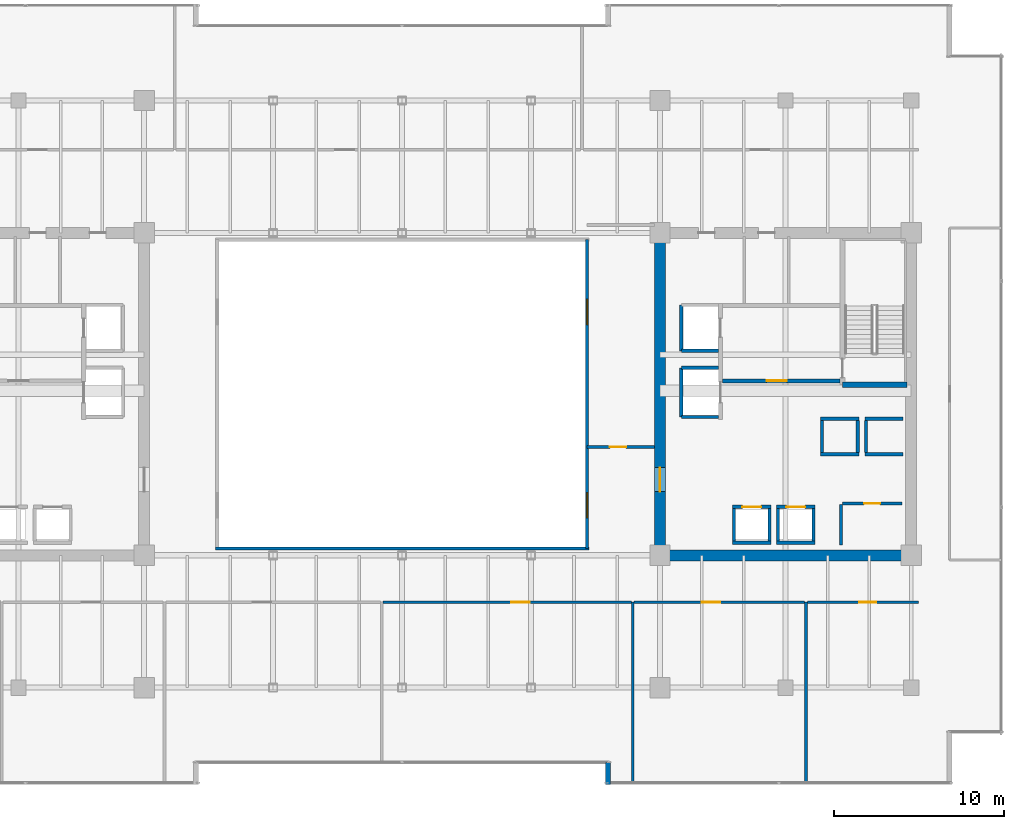
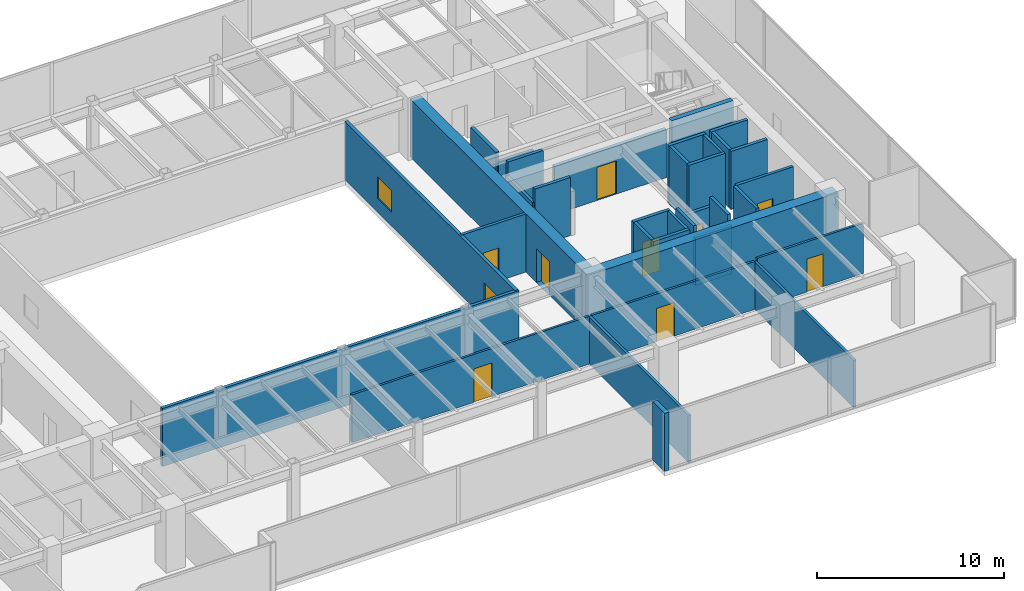
# One storey, part 26 of 30: 35 walls, 9 doors, 2 windows, 11 openings.
"""IFC4 building model written with IfcOpenShell, lengths in metres."""

from ifc_helpers import new_model, si_unit, direction, frame, frame_2d, origin, place, context, subcontext, project, spatial, rectangle, extrude, source, transform, mapped, material, layer, layer_set, type_object, type_shapes, element, fill, save


model = new_model("IFC4")

# Units and contexts
model_context = context("Model", 3, precision=1e-05, world=origin(), true_north=direction((0.0, 1.0)))
body_context = subcontext(model_context, "Body", "Model", "MODEL_VIEW")
ifc_project = project(units=[si_unit("LENGTHUNIT", "METRE"), si_unit("AREAUNIT", "SQUARE_METRE"), si_unit("VOLUMEUNIT", "CUBIC_METRE"), si_unit("PLANEANGLEUNIT", "RADIAN"), si_unit("MASSUNIT", "GRAM", prefix="KILO")], contexts=[model_context])

# Site, building, storey
site_placement = place(None, origin())
site = spatial("IfcSite", under=ifc_project, at=site_placement, CompositionType="ELEMENT")
building_placement = place(site_placement, origin())
building = spatial("IfcBuilding", under=site, at=building_placement, Name="Haelvirn Gate Laboratories", CompositionType="ELEMENT")
storey_placement = place(building_placement, frame((0.0, 0.0, 125.60009765625)))
storey = spatial("IfcBuildingStorey", under=building, at=storey_placement, Name="L30", CompositionType="ELEMENT", Elevation=125.60009765625)

# Walls
ifc_material_1 = material(Name="Thermally-broken bronze aluminium rainscreen & mineral wool", Category="aluminium")
ifc_layer_1 = layer(ifc_material_1, 0.280029296875, Name="EW-TERR-280")
ifc_layer_set_1 = layer_set([ifc_layer_1], Name="Thermally-broken bronze aluminium rainscreen & mineral wool")
wall_type_1 = type_object("IfcWallType", Name="EW-TERR-280", PredefinedType="STANDARD", material=ifc_layer_set_1)
wall_1_placement = place(storey_placement, frame((49.5400390625, 2.587890625, 0.0), z_axis=(0.0, 0.0, 1.0), x_axis=(0.0, -1.0, 0.0)))
element("IfcWall", 1, at=wall_1_placement, inside=storey, type_object=wall_type_1, Name="L30 Atrium Recess Bronze Return Wall 03", PredefinedType="STANDARD", context=body_context, shape_type="SweptSolid", body=[
    extrude(rectangle(XDim=1.287841796875, YDim=0.280029296875, at=frame_2d((0.64404296875, 0.0))), origin(), (0.0, 0.0, 1.0), 3.789794921875),
])
ifc_material_2 = material(Name="Double-layer acoustic gypsum laboratory partition", Category="gypsum")
ifc_layer_2 = layer(ifc_material_2, 0.159912109375, Name="IW-ACOUST-160")
ifc_layer_set_2 = layer_set([ifc_layer_2], Name="Double-layer acoustic gypsum laboratory partition")
wall_type_2 = type_object("IfcWallType", Name="IW-ACOUST-160", PredefinedType="PARTITIONING", material=ifc_layer_set_2)
for number, where, z_axis, x_axis, name in (
    (2, (51.0, 1.409912109375, 0.0), (0.0, 0.0, 1.0), (0.0, 1.0, 0.0), "L30 Interior Wall IW-L30-SDIV-04"),
    (3, (61.199951171875, 1.409912109375, 0.0), (0.0, 0.0, 1.0), (0.0, 1.0, 0.0), "L30 Interior Wall IW-L30-SDIV-05"),
):
    element("IfcWall", number, at=place(storey_placement, frame(where, z_axis=z_axis, x_axis=x_axis)), inside=storey, type_object=wall_type_2, Name=name, PredefinedType="PARTITIONING", context=body_context, shape_type="SweptSolid", body=[
        extrude(rectangle(XDim=10.630126953125, YDim=0.159912109375, at=frame_2d((5.31494140625, 0.0))), origin(), (0.0, 0.0, 1.0), 3.074951171875),
    ])

# Wall, opening, door
ifc_material_3 = material(Name="Fire-rated acoustic gypsum board partition", Category="gypsum")
ifc_layer_3 = layer(ifc_material_3, 0.175048828125, Name="IW-ACOUST-180")
ifc_layer_set_3 = layer_set([ifc_layer_3], Name="Fire-rated acoustic gypsum board partition")
wall_type_3 = type_object("IfcWallType", Name="IW-ACOUST-180", PredefinedType="PARTITIONING", material=ifc_layer_set_3)
wall_2_placement = place(storey_placement, frame((48.300048828125, 21.179931640625, 0.0), z_axis=(0.0, 0.0, 1.0), x_axis=(1.0, 0.0, 0.0)))
wall_2 = element("IfcWall", 4, at=wall_2_placement, inside=storey, type_object=wall_type_3, Name="L30 Interior Wall IW-L30-ASEM-S", PredefinedType="PARTITIONING", context=body_context, shape_type="SweptSolid", body=[
    extrude(rectangle(XDim=3.974853515625, YDim=0.175048828125, at=frame_2d((1.9873046875, 0.0))), origin(), (0.0, 0.0, 1.0), 3.789794921875),
])
opening_1_placement = place(wall_2_placement, frame((1.35009765625, 0.0, 0.0)))
opening_1 = element("IfcOpeningElement", 5, at=opening_1_placement, cuts=wall_2, Name="Opening FD4", PredefinedType="OPENING", context=body_context, shape_type="SweptSolid", body=[
    extrude(rectangle(XDim=0.949951171875, YDim=2.14990234375, at=frame_2d((0.47509765625, 1.074951171875))), frame((0.0, 0.09765625, 0.0), z_axis=(0.0, -1.0, 0.0), x_axis=(1.0, 0.0, 0.0)), (0.0, 0.0, 1.0), 0.195068359375),
])
ifc_material_4 = material(Name="Fire-rated steel SM355 core service door", Category="steel")
door_type_1 = type_object("IfcDoorType", Name="DR-FD-950", OperationType="NOTDEFINED", PredefinedType="DOOR", material=ifc_material_4)
shared_shape_1 = source(origin(), body_context, "Body", "SweptSolid", [
    extrude(rectangle(XDim=0.949951171875, YDim=2.14990234375, at=frame_2d((0.47509765625, 1.074951171875))), frame((0.0, 0.02490234375, 0.0), z_axis=(0.0, -1.0, 0.0), x_axis=(1.0, 0.0, 0.0)), (0.0, 0.0, 1.0), 0.050048828125),
])
type_shapes(door_type_1, [shared_shape_1])
door_1_placement = place(opening_1_placement, origin())
door_1 = element("IfcDoor", 6, at=door_1_placement, inside=storey, type_object=door_type_1, Name="L30 Atrium Bioinformatics Suite Door", OperationType="SINGLE_SWING_LEFT", OverallHeight=2.14990234375, OverallWidth=0.949951171875, PredefinedType="DOOR", context=body_context, shape_type="MappedRepresentation", body=[
    mapped(shared_shape_1, transform((0.0, 0.0, 0.0), scale=1.0)),
])
fill(opening_1, door_1)

# Wall, openings, windows
ifc_material_5 = material(Name="Tempered fire-rated borosilicate glass & anodised aluminium", Category="aluminium")
ifc_layer_4 = layer(ifc_material_5, 0.195068359375, Name="IW-GLAZ-200")
ifc_layer_set_4 = layer_set([ifc_layer_4], Name="Tempered fire-rated borosilicate glass & anodised aluminium")
wall_type_4 = type_object("IfcWallType", Name="IW-GLAZ-200", PredefinedType="SOLIDWALL", material=ifc_layer_set_4)
wall_3_placement = place(storey_placement, frame((48.300048828125, 15.199951171875, 0.0), z_axis=(0.0, 0.0, 1.0), x_axis=(0.0, 1.0, 0.0)))
wall_3 = element("IfcWall", 7, at=wall_3_placement, inside=storey, type_object=wall_type_4, Name="L30 Interior Wall IW-L30-ATRIUM-E", PredefinedType="SOLIDWALL", context=body_context, shape_type="SweptSolid", body=[
    extrude(rectangle(XDim=18.199951171875, YDim=0.195068359375, at=frame_2d((9.10009765625, 0.0))), origin(), (0.0, 0.0, 1.0), 3.789794921875),
])
opening_2_placement = place(wall_3_placement, frame((1.800048828125, 0.0, 0.89990234375)))
opening_2 = element("IfcOpeningElement", 8, at=opening_2_placement, cuts=wall_3, Name="Opening W5", PredefinedType="OPENING", context=body_context, shape_type="SweptSolid", body=[
    extrude(rectangle(XDim=1.5, YDim=1.39990234375, at=frame_2d((0.75, 0.699951171875))), frame((0.0, 0.107421875, 0.0), z_axis=(0.0, -1.0, 0.0), x_axis=(1.0, 0.0, 0.0)), (0.0, 0.0, 1.0), 0.215087890625),
])
opening_3_placement = place(wall_3_placement, frame((13.199951171875, 0.0, 0.89990234375)))
opening_3 = element("IfcOpeningElement", 9, at=opening_3_placement, cuts=wall_3, Name="Opening W5", PredefinedType="OPENING", context=body_context, shape_type="SweptSolid", body=[
    extrude(rectangle(XDim=1.5, YDim=1.39990234375, at=frame_2d((0.75, 0.699951171875))), frame((0.0, 0.107421875, 0.0), z_axis=(0.0, -1.0, 0.0), x_axis=(1.0, 0.0, 0.0)), (0.0, 0.0, 1.0), 0.215087890625),
])
ifc_material_6 = material(Name="Fire-rated EI 120 borosilicate atrium vision glazing", Category="glass")
window_type = type_object("IfcWindowType", Name="WN-ATR-1500", PartitioningType="SINGLE_PANEL", PredefinedType="WINDOW", material=ifc_material_6)
shared_shape_2 = source(origin(), body_context, "Body", "SweptSolid", [
    extrude(rectangle(XDim=1.5, YDim=1.39990234375, at=frame_2d((0.75, 0.699951171875))), frame((0.0, 0.030029296875, 0.0), z_axis=(0.0, -1.0, 0.0), x_axis=(1.0, 0.0, 0.0)), (0.0, 0.0, 1.0), 0.06005859375),
])
type_shapes(window_type, [shared_shape_2])
window_1_placement = place(opening_2_placement, origin())
window_1 = element("IfcWindow", 10, at=window_1_placement, inside=storey, type_object=window_type, Name="L30 Atrium Observation Window 1", OverallHeight=1.39990234375, OverallWidth=1.5, PartitioningType="SINGLE_PANEL", PredefinedType="WINDOW", context=body_context, shape_type="MappedRepresentation", body=[
    mapped(shared_shape_2, transform((0.0, 0.0, 0.0), scale=1.0)),
])
fill(opening_2, window_1)
window_2_placement = place(opening_3_placement, origin())
window_2 = element("IfcWindow", 11, at=window_2_placement, inside=storey, type_object=window_type, Name="L30 Atrium Observation Window 2", OverallHeight=1.39990234375, OverallWidth=1.5, PartitioningType="SINGLE_PANEL", PredefinedType="WINDOW", context=body_context, shape_type="MappedRepresentation", body=[
    mapped(shared_shape_2, transform((0.0, 0.0, 0.0), scale=1.0)),
])
fill(opening_3, window_2)

# Wall
wall_4_placement = place(storey_placement, frame((26.39990234375, 15.199951171875, 0.0), z_axis=(0.0, 0.0, 1.0), x_axis=(1.0, 0.0, 0.0)))
element("IfcWall", 12, at=wall_4_placement, inside=storey, type_object=wall_type_4, Name="L30 Interior Wall IW-L30-ATRIUM-S", PredefinedType="SOLIDWALL", context=body_context, shape_type="SweptSolid", body=[
    extrude(rectangle(XDim=22.0, YDim=0.195068359375, at=frame_2d((11.0, 0.0))), origin(), (0.0, 0.0, 1.0), 3.789794921875),
])

# Wall, opening, door
ifc_material_7 = material(Name="Acoustic mineral-wool gypsum board partition", Category="gypsum")
ifc_layer_5 = layer(ifc_material_7, 0.139892578125, Name="IW-PART-140")
ifc_layer_set_5 = layer_set([ifc_layer_5], Name="Acoustic mineral-wool gypsum board partition")
wall_type_5 = type_object("IfcWallType", Name="IW-PART-140", PredefinedType="PARTITIONING", material=ifc_layer_set_5)
wall_5_placement = place(storey_placement, frame((36.280029296875, 12.0400390625, 0.0), z_axis=(0.0, 0.0, 1.0), x_axis=(1.0, 0.0, 0.0)))
wall_5 = element("IfcWall", 13, at=wall_5_placement, inside=storey, type_object=wall_type_5, Name="L30 Interior Wall IW-L30-SCORR-04", PredefinedType="PARTITIONING", context=body_context, shape_type="SweptSolid", body=[
    extrude(rectangle(XDim=14.639892578125, YDim=0.139892578125, at=frame_2d((7.31982421875, 0.0))), origin(), (0.0, 0.0, 1.0), 3.125),
])
opening_4_placement = place(wall_5_placement, frame((7.540283203125, 0.0, 0.0)))
opening_4 = element("IfcOpeningElement", 14, at=opening_4_placement, cuts=wall_5, Name="Opening D1", PredefinedType="OPENING", context=body_context, shape_type="SweptSolid", body=[
    extrude(rectangle(XDim=1.10009765625, YDim=2.179931640625, at=frame_2d((0.550048828125, 1.08984375))), frame((0.0, 0.080078125, 0.0), z_axis=(0.0, -1.0, 0.0), x_axis=(1.0, 0.0, 0.0)), (0.0, 0.0, 1.0), 0.159912109375),
])
ifc_material_8 = material(Name="Vision-panel acoustic solid-core timber lab door", Category="wood")
door_type_2 = type_object("IfcDoorType", Name="DR-LAB-1100", OperationType="NOTDEFINED", PredefinedType="DOOR", material=ifc_material_8)
shared_shape_3 = source(origin(), body_context, "Body", "SweptSolid", [
    extrude(rectangle(XDim=1.10009765625, YDim=2.179931640625, at=frame_2d((0.550048828125, 1.08984375))), frame((0.0, 0.02490234375, 0.0), z_axis=(0.0, -1.0, 0.0), x_axis=(1.0, 0.0, 0.0)), (0.0, 0.0, 1.0), 0.050048828125),
])
type_shapes(door_type_2, [shared_shape_3])
door_2_placement = place(opening_4_placement, origin())
door_2 = element("IfcDoor", 15, at=door_2_placement, inside=storey, type_object=door_type_2, Name="L30 Analytical Instrument Suite Door S4", OperationType="SINGLE_SWING_RIGHT", OverallHeight=2.179931640625, OverallWidth=1.10009765625, PredefinedType="DOOR", context=body_context, shape_type="MappedRepresentation", body=[
    mapped(shared_shape_3, transform((0.0, 0.0, 0.0), scale=1.0)),
])
fill(opening_4, door_2)

wall_6_placement = place(storey_placement, frame((51.080078125, 12.0400390625, 0.0), z_axis=(0.0, 0.0, 1.0), x_axis=(1.0, 0.0, 0.0)))
wall_6 = element("IfcWall", 16, at=wall_6_placement, inside=storey, type_object=wall_type_5, Name="L30 Interior Wall IW-L30-SCORR-05", PredefinedType="PARTITIONING", context=body_context, shape_type="SweptSolid", body=[
    extrude(rectangle(XDim=10.0400390625, YDim=0.139892578125, at=frame_2d((5.02001953125, 0.0))), origin(), (0.0, 0.0, 1.0), 3.125),
])
opening_5_placement = place(wall_6_placement, frame((3.9755859375, 0.0, 0.0)))
opening_5 = element("IfcOpeningElement", 17, at=opening_5_placement, cuts=wall_6, Name="Opening D1", PredefinedType="OPENING", context=body_context, shape_type="SweptSolid", body=[
    extrude(rectangle(XDim=1.10009765625, YDim=2.179931640625, at=frame_2d((0.550048828125, 1.08984375))), frame((0.0, 0.080078125, 0.0), z_axis=(0.0, -1.0, 0.0), x_axis=(1.0, 0.0, 0.0)), (0.0, 0.0, 1.0), 0.159912109375),
])
door_3_placement = place(opening_5_placement, origin())
door_3 = element("IfcDoor", 18, at=door_3_placement, inside=storey, type_object=door_type_2, Name="L30 Researcher Quiet Study Door S5", OperationType="SINGLE_SWING_LEFT", OverallHeight=2.179931640625, OverallWidth=1.10009765625, PredefinedType="DOOR", context=body_context, shape_type="MappedRepresentation", body=[
    mapped(shared_shape_3, transform((0.0, 0.0, 0.0), scale=1.0)),
])
fill(opening_5, door_3)

wall_7_placement = place(storey_placement, frame((61.280029296875, 12.0400390625, 0.0), z_axis=(0.0, 0.0, 1.0), x_axis=(1.0, 0.0, 0.0)))
wall_7 = element("IfcWall", 19, at=wall_7_placement, inside=storey, type_object=wall_type_5, Name="L30 Interior Wall IW-L30-SCORR-06", PredefinedType="PARTITIONING", context=body_context, shape_type="SweptSolid", body=[
    extrude(rectangle(XDim=6.5400390625, YDim=0.139892578125, at=frame_2d((3.27001953125, 0.0))), origin(), (0.0, 0.0, 1.0), 3.27490234375),
])
opening_6_placement = place(wall_7_placement, frame((3.060302734375, 0.0, 0.0)))
opening_6 = element("IfcOpeningElement", 20, at=opening_6_placement, cuts=wall_7, Name="Opening D2", PredefinedType="OPENING", context=body_context, shape_type="SweptSolid", body=[
    extrude(rectangle(XDim=1.0, YDim=2.14990234375, at=frame_2d((0.5, 1.074951171875))), frame((0.0, 0.080078125, 0.0), z_axis=(0.0, -1.0, 0.0), x_axis=(1.0, 0.0, 0.0)), (0.0, 0.0, 1.0), 0.159912109375),
])
ifc_material_9 = material(Name="Acoustic solid-core timber suite door", Category="wood")
door_type_3 = type_object("IfcDoorType", Name="DR-INT-1000", OperationType="NOTDEFINED", PredefinedType="DOOR", material=ifc_material_9)
shared_shape_4 = source(origin(), body_context, "Body", "SweptSolid", [
    extrude(rectangle(XDim=1.0, YDim=2.14990234375, at=frame_2d((0.5, 1.074951171875))), frame((0.0, 0.02490234375, 0.0), z_axis=(0.0, -1.0, 0.0), x_axis=(1.0, 0.0, 0.0)), (0.0, 0.0, 1.0), 0.050048828125),
])
type_shapes(door_type_3, [shared_shape_4])
door_4_placement = place(opening_6_placement, origin())
door_4 = element("IfcDoor", 21, at=door_4_placement, inside=storey, type_object=door_type_3, Name="L30 Postdoctoral Reading Lounge Door S6", OperationType="SINGLE_SWING_RIGHT", OverallHeight=2.14990234375, OverallWidth=1.0, PredefinedType="DOOR", context=body_context, shape_type="MappedRepresentation", body=[
    mapped(shared_shape_4, transform((0.0, 0.0, 0.0), scale=1.0)),
])
fill(opening_6, door_4)

# Walls
ifc_material_10 = material(Name="Concrete C40/50", Category="concrete")
ifc_layer_6 = layer(ifc_material_10, 0.179931640625, Name="IW-SHAFT-180")
ifc_layer_set_6 = layer_set([ifc_layer_6], Name="Concrete C40/50")
wall_type_6 = type_object("IfcWallType", Name="IW-SHAFT-180", PredefinedType="SOLIDWALL", material=ifc_layer_set_6)
for number, where, z_axis, x_axis, name in (
    (22, (59.550048828125, 15.64990234375, 0.0), (0.0, 0.0, 1.0), (0.0, 1.0, 0.0), "L30 Interior Wall IW-L30-PL7-SD"),
    (23, (61.64990234375, 15.64990234375, 0.0), (0.0, 0.0, 1.0), (0.0, 1.0, 0.0), "L30 Interior Wall IW-L30-PL7-SDE"),
    (24, (56.949951171875, 15.64990234375, 0.0), (0.0, 0.0, 1.0), (0.0, 1.0, 0.0), "L30 Interior Wall IW-L30-PL8-SD"),
    (25, (59.050048828125, 15.64990234375, 0.0), (0.0, 0.0, 1.0), (0.0, 1.0, 0.0), "L30 Interior Wall IW-L30-PL8-SDE"),
):
    element("IfcWall", number, at=place(storey_placement, frame(where, z_axis=z_axis, x_axis=x_axis)), inside=storey, type_object=wall_type_6, Name=name, PredefinedType="SOLIDWALL", context=body_context, shape_type="SweptSolid", body=[
        extrude(rectangle(XDim=1.900146484375, YDim=0.179931640625, at=frame_2d((0.9501953125, 0.0))), origin(), (0.0, 0.0, 1.0), 3.789794921875),
    ])
for number, where, z_axis, x_axis, name in (
    (26, (64.75, 20.85009765625, 0.0), (0.0, 0.0, 1.0), (0.0, 1.0, 0.0), "L30 Interior Wall IW-L30-PL11-SD"),
    (27, (62.14990234375, 20.85009765625, 0.0), (0.0, 0.0, 1.0), (0.0, 1.0, 0.0), "L30 Interior Wall IW-L30-PL12-SD"),
    (28, (64.25, 20.85009765625, 0.0), (0.0, 0.0, 1.0), (0.0, 1.0, 0.0), "L30 Interior Wall IW-L30-PL12-SDE"),
):
    element("IfcWall", number, at=place(storey_placement, frame(where, z_axis=z_axis, x_axis=x_axis)), inside=storey, type_object=wall_type_6, Name=name, PredefinedType="SOLIDWALL", context=body_context, shape_type="SweptSolid", body=[
        extrude(rectangle(XDim=1.89990234375, YDim=0.179931640625, at=frame_2d((0.949951171875, 0.0))), origin(), (0.0, 0.0, 1.0), 3.789794921875),
    ])

# Wall, opening, door
wall_8_placement = place(storey_placement, frame((63.35009765625, 17.85009765625, 0.0), z_axis=(0.0, 0.0, 1.0), x_axis=(1.0, 0.0, 0.0)))
wall_8 = element("IfcWall", 29, at=wall_8_placement, inside=storey, type_object=wall_type_6, Name="L30 Interior Wall IW-L30-E-FREED-LN-1", PredefinedType="SOLIDWALL", context=body_context, shape_type="SweptSolid", body=[
    extrude(rectangle(XDim=3.5, YDim=0.179931640625, at=frame_2d((1.75, 0.0))), origin(), (0.0, 0.0, 1.0), 3.789794921875),
])
opening_7_placement = place(wall_8_placement, frame((1.27490234375, 0.0, 0.0)))
opening_7 = element("IfcOpeningElement", 30, at=opening_7_placement, cuts=wall_8, Name="Opening FD4", PredefinedType="OPENING", context=body_context, shape_type="SweptSolid", body=[
    extrude(rectangle(XDim=0.949951171875, YDim=2.14990234375, at=frame_2d((0.47509765625, 1.074951171875))), frame((0.0, 0.10009765625, 0.0), z_axis=(0.0, -1.0, 0.0), x_axis=(1.0, 0.0, 0.0)), (0.0, 0.0, 1.0), 0.199951171875),
])
door_5_placement = place(opening_7_placement, origin())
door_5 = element("IfcDoor", 31, at=door_5_placement, inside=storey, type_object=door_type_1, Name="L30 Core Calibration Room Door", OperationType="SINGLE_SWING_LEFT", OverallHeight=2.14990234375, OverallWidth=0.949951171875, PredefinedType="DOOR", context=body_context, shape_type="MappedRepresentation", body=[
    mapped(shared_shape_1, transform((0.0, 0.0, 0.0), scale=1.0)),
])
fill(opening_7, door_5)

# Wall
wall_9_placement = place(storey_placement, frame((63.260009765625, 15.39990234375, 0.0), z_axis=(0.0, 0.0, 1.0), x_axis=(0.0, 1.0, 0.0)))
element("IfcWall", 32, at=wall_9_placement, inside=storey, type_object=wall_type_6, Name="L30 Interior Wall IW-L30-E-FREED-LE-1", PredefinedType="SOLIDWALL", context=body_context, shape_type="SweptSolid", body=[
    extrude(rectangle(XDim=2.400146484375, YDim=0.179931640625, at=frame_2d((1.2001953125, 0.0))), origin(), (0.0, 0.0, 1.0), 3.789794921875),
])

# Wall, opening, door
ifc_layer_7 = layer(ifc_material_10, 0.199951171875, Name="IW-SHAFT-200")
ifc_layer_set_7 = layer_set([ifc_layer_7], Name="Concrete C40/50")
wall_type_7 = type_object("IfcWallType", Name="IW-SHAFT-200", PredefinedType="SOLIDWALL", material=ifc_layer_set_7)
wall_10_placement = place(storey_placement, frame((59.469970703125, 17.64990234375, 0.0), z_axis=(0.0, 0.0, 1.0), x_axis=(1.0, 0.0, 0.0)))
wall_10 = element("IfcWall", 33, at=wall_10_placement, inside=storey, type_object=wall_type_7, Name="L30 Interior Wall IW-L30-PL7-FR", PredefinedType="SOLIDWALL", context=body_context, shape_type="SweptSolid", body=[
    extrude(rectangle(XDim=2.260009765625, YDim=0.199951171875, at=frame_2d((1.1298828125, 0.0))), origin(), (0.0, 0.0, 1.0), 3.125),
])
opening_8_placement = place(wall_10_placement, frame((0.580078125, 0.0, 0.0)))
opening_8 = element("IfcOpeningElement", 34, at=opening_8_placement, cuts=wall_10, Name="Opening LD2", PredefinedType="OPENING", context=body_context, shape_type="SweptSolid", body=[
    extrude(rectangle(XDim=1.10009765625, YDim=2.219970703125, at=frame_2d((0.550048828125, 1.10986328125))), frame((0.0, 0.10986328125, 0.0), z_axis=(0.0, -1.0, 0.0), x_axis=(1.0, 0.0, 0.0)), (0.0, 0.0, 1.0), 0.219970703125),
])
ifc_material_11 = material(Name="Bronze stainless 316L sliding lift landing door")
door_type_4 = type_object("IfcDoorType", Name="DR-LD-1100", OperationType="NOTDEFINED", PredefinedType="USERDEFINED", material=ifc_material_11)
shared_shape_5 = source(origin(), body_context, "Body", "SweptSolid", [
    extrude(rectangle(XDim=1.10009765625, YDim=2.219970703125, at=frame_2d((0.550048828125, 1.10986328125))), frame((0.0, 0.02490234375, 0.0), z_axis=(0.0, -1.0, 0.0), x_axis=(1.0, 0.0, 0.0)), (0.0, 0.0, 1.0), 0.050048828125),
])
type_shapes(door_type_4, [shared_shape_5])
door_6_placement = place(opening_8_placement, origin())
door_6 = element("IfcDoor", 35, at=door_6_placement, inside=storey, type_object=door_type_4, Name="L30 Passenger Lift PL7 Landing Door", ObjectType="LANDING_DOOR", OperationType="SLIDING_TO_LEFT", OverallHeight=2.219970703125, OverallWidth=1.10009765625, PredefinedType="USERDEFINED", context=body_context, shape_type="MappedRepresentation", body=[
    mapped(shared_shape_5, transform((0.0, 0.0, 0.0), scale=1.0)),
])
fill(opening_8, door_6)

# Wall
wall_11_placement = place(storey_placement, frame((59.469970703125, 15.550048828125, 0.0), z_axis=(0.0, 0.0, 1.0), x_axis=(1.0, 0.0, 0.0)))
element("IfcWall", 36, at=wall_11_placement, inside=storey, type_object=wall_type_7, Name="L30 Interior Wall IW-L30-PL7-BK", PredefinedType="SOLIDWALL", context=body_context, shape_type="SweptSolid", body=[
    extrude(rectangle(XDim=2.260009765625, YDim=0.199951171875, at=frame_2d((1.1298828125, 0.0))), origin(), (0.0, 0.0, 1.0), 3.125),
])

# Wall, opening, door
wall_12_placement = place(storey_placement, frame((56.8701171875, 17.64990234375, 0.0), z_axis=(0.0, 0.0, 1.0), x_axis=(1.0, 0.0, 0.0)))
wall_12 = element("IfcWall", 37, at=wall_12_placement, inside=storey, type_object=wall_type_7, Name="L30 Interior Wall IW-L30-PL8-FR", PredefinedType="SOLIDWALL", context=body_context, shape_type="SweptSolid", body=[
    extrude(rectangle(XDim=2.259765625, YDim=0.199951171875, at=frame_2d((1.1298828125, 0.0))), origin(), (0.0, 0.0, 1.0), 3.789794921875),
])
opening_9_placement = place(wall_12_placement, frame((0.580078125, 0.0, 0.0)))
opening_9 = element("IfcOpeningElement", 38, at=opening_9_placement, cuts=wall_12, Name="Opening LD2", PredefinedType="OPENING", context=body_context, shape_type="SweptSolid", body=[
    extrude(rectangle(XDim=1.10009765625, YDim=2.219970703125, at=frame_2d((0.550048828125, 1.10986328125))), frame((0.0, 0.10986328125, 0.0), z_axis=(0.0, -1.0, 0.0), x_axis=(1.0, 0.0, 0.0)), (0.0, 0.0, 1.0), 0.219970703125),
])
door_7_placement = place(opening_9_placement, origin())
door_7 = element("IfcDoor", 39, at=door_7_placement, inside=storey, type_object=door_type_4, Name="L30 Passenger Lift PL8 Landing Door", ObjectType="LANDING_DOOR", OperationType="SLIDING_TO_RIGHT", OverallHeight=2.219970703125, OverallWidth=1.10009765625, PredefinedType="USERDEFINED", context=body_context, shape_type="MappedRepresentation", body=[
    mapped(shared_shape_5, transform((0.0, 0.0, 0.0), scale=1.0)),
])
fill(opening_9, door_7)

# Walls
wall_13_placement = place(storey_placement, frame((56.8701171875, 15.550048828125, 0.0), z_axis=(0.0, 0.0, 1.0), x_axis=(1.0, 0.0, 0.0)))
element("IfcWall", 40, at=wall_13_placement, inside=storey, type_object=wall_type_7, Name="L30 Interior Wall IW-L30-PL8-BK", PredefinedType="SOLIDWALL", context=body_context, shape_type="SweptSolid", body=[
    extrude(rectangle(XDim=2.259765625, YDim=0.199951171875, at=frame_2d((1.1298828125, 0.0))), origin(), (0.0, 0.0, 1.0), 3.789794921875),
])
for number, where, z_axis, x_axis, name in (
    (41, (64.669921875, 20.75, 0.0), (0.0, 0.0, 1.0), (1.0, 0.0, 0.0), "L30 Interior Wall IW-L30-PL11-FR"),
    (42, (64.669921875, 22.85009765625, 0.0), (0.0, 0.0, 1.0), (1.0, 0.0, 0.0), "L30 Interior Wall IW-L30-PL11-BK"),
    (43, (62.070068359375, 20.75, 0.0), (0.0, 0.0, 1.0), (1.0, 0.0, 0.0), "L30 Interior Wall IW-L30-PL12-FR"),
    (44, (62.070068359375, 22.85009765625, 0.0), (0.0, 0.0, 1.0), (1.0, 0.0, 0.0), "L30 Interior Wall IW-L30-PL12-BK"),
):
    element("IfcWall", number, at=place(storey_placement, frame(where, z_axis=z_axis, x_axis=x_axis)), inside=storey, type_object=wall_type_7, Name=name, PredefinedType="SOLIDWALL", context=body_context, shape_type="SweptSolid", body=[
        extrude(rectangle(XDim=2.260009765625, YDim=0.199951171875, at=frame_2d((1.1298828125, 0.0))), origin(), (0.0, 0.0, 1.0), 3.789794921875),
    ])
wall_14_placement = place(storey_placement, frame((53.85009765625, 26.85009765625, 0.0), z_axis=(0.0, 0.0, 1.0), x_axis=(0.0, 1.0, 0.0)))
element("IfcWall", 45, at=wall_14_placement, inside=storey, type_object=wall_type_7, Name="L30 Interior Wall IW-L30-FL2-BK", PredefinedType="SOLIDWALL", context=body_context, shape_type="SweptSolid", body=[
    extrude(rectangle(XDim=2.699951171875, YDim=0.199951171875, at=frame_2d((1.35009765625, 0.0))), origin(), (0.0, 0.0, 1.0), 3.789794921875),
])
wall_15_placement = place(storey_placement, frame((53.85009765625, 26.85009765625, 0.0), z_axis=(0.0, 0.0, 1.0), x_axis=(1.0, 0.0, 0.0)))
element("IfcWall", 46, at=wall_15_placement, inside=storey, type_object=wall_type_7, Name="L30 Interior Wall IW-L30-FL2-S", PredefinedType="SOLIDWALL", context=body_context, shape_type="SweptSolid", body=[
    extrude(rectangle(XDim=2.18994140625, YDim=0.199951171875, at=frame_2d((1.094970703125, 0.0))), origin(), (0.0, 0.0, 1.0), 3.18701171875),
])
wall_16_placement = place(storey_placement, frame((53.85009765625, 22.949951171875, 0.0), z_axis=(0.0, 0.0, 1.0), x_axis=(0.0, 1.0, 0.0)))
element("IfcWall", 47, at=wall_16_placement, inside=storey, type_object=wall_type_7, Name="L30 Interior Wall IW-L30-SL2-BK", PredefinedType="SOLIDWALL", context=body_context, shape_type="SweptSolid", body=[
    extrude(rectangle(XDim=2.900146484375, YDim=0.199951171875, at=frame_2d((1.4501953125, 0.0))), origin(), (0.0, 0.0, 1.0), 2.875),
])
for number, where, z_axis, x_axis, name in (
    (48, (53.85009765625, 25.85009765625, 0.0), (0.0, 0.0, 1.0), (1.0, 0.0, 0.0), "L30 Interior Wall IW-L30-SL2-N"),
    (49, (53.85009765625, 22.949951171875, 0.0), (0.0, 0.0, 1.0), (1.0, 0.0, 0.0), "L30 Interior Wall IW-L30-SL2-S"),
):
    element("IfcWall", number, at=place(storey_placement, frame(where, z_axis=z_axis, x_axis=x_axis)), inside=storey, type_object=wall_type_7, Name=name, PredefinedType="SOLIDWALL", context=body_context, shape_type="SweptSolid", body=[
        extrude(rectangle(XDim=2.18994140625, YDim=0.199951171875, at=frame_2d((1.094970703125, 0.0))), origin(), (0.0, 0.0, 1.0), 3.789794921875),
    ])

# Wall, opening, door
ifc_layer_8 = layer(ifc_material_10, 0.239990234375, Name="IW-SHAFT-240")
ifc_layer_set_8 = layer_set([ifc_layer_8], Name="Concrete C40/50")
wall_type_8 = type_object("IfcWallType", Name="IW-SHAFT-240", PredefinedType="SOLIDWALL", material=ifc_layer_set_8)
wall_17_placement = place(storey_placement, frame((56.280029296875, 25.080078125, 0.0), z_axis=(0.0, 0.0, 1.0), x_axis=(1.0, 0.0, 0.0)))
wall_17 = element("IfcWall", 50, at=wall_17_placement, inside=storey, type_object=wall_type_8, Name="L30 Interior Wall IW-L30-E-FF-S", PredefinedType="SOLIDWALL", context=body_context, shape_type="SweptSolid", body=[
    extrude(rectangle(XDim=6.919921875, YDim=0.239990234375, at=frame_2d((3.4599609375, 0.0))), origin(), (0.0, 0.0, 1.0), 3.125),
])
opening_10_placement = place(wall_17_placement, frame((2.60009765625, 0.0, 0.0)))
opening_10 = element("IfcOpeningElement", 51, at=opening_10_placement, cuts=wall_17, Name="Opening FD2", PredefinedType="OPENING", context=body_context, shape_type="SweptSolid", body=[
    extrude(rectangle(XDim=1.199951171875, YDim=2.159912109375, at=frame_2d((0.60009765625, 1.080078125))), frame((0.0, 0.1298828125, 0.0), z_axis=(0.0, -1.0, 0.0), x_axis=(1.0, 0.0, 0.0)), (0.0, 0.0, 1.0), 0.260009765625),
])
ifc_material_12 = material(Name="Fire-rated steel SM355 compartment door", Category="steel")
door_type_5 = type_object("IfcDoorType", Name="DR-FD-1200", OperationType="NOTDEFINED", PredefinedType="DOOR", material=ifc_material_12)
shared_shape_6 = source(origin(), body_context, "Body", "SweptSolid", [
    extrude(rectangle(XDim=1.199951171875, YDim=2.159912109375, at=frame_2d((0.60009765625, 1.080078125))), frame((0.0, 0.02490234375, 0.0), z_axis=(0.0, -1.0, 0.0), x_axis=(1.0, 0.0, 0.0)), (0.0, 0.0, 1.0), 0.050048828125),
])
type_shapes(door_type_5, [shared_shape_6])
door_8_placement = place(opening_10_placement, origin())
door_8 = element("IfcDoor", 52, at=door_8_placement, inside=storey, type_object=door_type_5, Name="L30 East Firefighting Lobby Door", OperationType="SINGLE_SWING_LEFT", OverallHeight=2.159912109375, OverallWidth=1.199951171875, PredefinedType="DOOR", context=body_context, shape_type="MappedRepresentation", body=[
    mapped(shared_shape_6, transform((0.0, 0.0, 0.0), scale=1.0)),
])
fill(opening_10, door_8)

# Wall
ifc_material_13 = material(Name="Concrete C60/75", Category="concrete")
ifc_layer_9 = layer(ifc_material_13, 0.64990234375, Name="SW-CORE-650")
ifc_layer_set_9 = layer_set([ifc_layer_9], Name="Concrete C60/75")
wall_type_9 = type_object("IfcWallType", Name="SW-CORE-650", PredefinedType="SHEAR", material=ifc_layer_set_9)
wall_18_placement = place(storey_placement, frame((52.27490234375, 14.800048828125, 0.0), z_axis=(0.0, 0.0, 1.0), x_axis=(1.0, 0.0, 0.0)))
element("IfcWall", 53, at=wall_18_placement, inside=storey, type_object=wall_type_9, Name="L30 E Core Shear Wall S", PredefinedType="SHEAR", context=body_context, shape_type="SweptSolid", body=[
    extrude(rectangle(XDim=15.4501953125, YDim=0.64990234375, at=frame_2d((7.72509765625, 0.0))), origin(), (0.0, 0.0, 1.0), 3.789794921875),
])

# Wall, opening, door
wall_19_placement = place(storey_placement, frame((52.60009765625, 15.125, 0.0), z_axis=(0.0, 0.0, 1.0), x_axis=(0.0, 1.0, 0.0)))
wall_19 = element("IfcWall", 54, at=wall_19_placement, inside=storey, type_object=wall_type_9, Name="L30 E Core Shear Wall W", PredefinedType="SHEAR", context=body_context, shape_type="SweptSolid", body=[
    extrude(rectangle(XDim=18.35009765625, YDim=0.64990234375, at=frame_2d((9.175048828125, 0.0))), origin(), (0.0, 0.0, 1.0), 3.789794921875),
])
opening_11_placement = place(wall_19_placement, frame((3.425048828125, 0.0, 0.0)))
opening_11 = element("IfcOpeningElement", 55, at=opening_11_placement, cuts=wall_19, Name="Opening FD1", PredefinedType="OPENING", context=body_context, shape_type="SweptSolid", body=[
    extrude(rectangle(XDim=1.419921875, YDim=2.199951171875, at=frame_2d((0.7099609375, 1.10009765625))), frame((0.0, 0.3349609375, 0.0), z_axis=(0.0, -1.0, 0.0), x_axis=(1.0, 0.0, 0.0)), (0.0, 0.0, 1.0), 0.669921875),
])
ifc_material_14 = material(Name="Fire-rated double steel SM355 lobby door", Category="steel")
door_type_6 = type_object("IfcDoorType", Name="DR-FD-1400", OperationType="NOTDEFINED", PredefinedType="DOOR", material=ifc_material_14)
shared_shape_7 = source(origin(), body_context, "Body", "SweptSolid", [
    extrude(rectangle(XDim=1.419921875, YDim=2.199951171875, at=frame_2d((0.7099609375, 1.10009765625))), frame((0.0, 0.02490234375, 0.0), z_axis=(0.0, -1.0, 0.0), x_axis=(1.0, 0.0, 0.0)), (0.0, 0.0, 1.0), 0.050048828125),
])
type_shapes(door_type_6, [shared_shape_7])
door_9_placement = place(opening_11_placement, origin())
door_9 = element("IfcDoor", 56, at=door_9_placement, inside=storey, type_object=door_type_6, Name="L30 East Core Lift Lobby Fire Door", OperationType="DOUBLE_DOOR_SINGLE_SWING", OverallHeight=2.199951171875, OverallWidth=1.419921875, PredefinedType="DOOR", context=body_context, shape_type="MappedRepresentation", body=[
    mapped(shared_shape_7, transform((0.0, 0.0, 0.0), scale=1.0)),
])
fill(opening_11, door_9)

# Wall
ifc_material_15 = material(Name="Concrete C50/60", Category="concrete")
ifc_layer_10 = layer(ifc_material_15, 0.300048828125, Name="SW-STAIR-300")
ifc_layer_set_10 = layer_set([ifc_layer_10], Name="Concrete C50/60")
wall_type_10 = type_object("IfcWallType", Name="SW-STAIR-300", PredefinedType="SHEAR", material=ifc_layer_set_10)
wall_20_placement = place(storey_placement, frame((63.35009765625, 24.85009765625, 0.0), z_axis=(0.0, 0.0, 1.0), x_axis=(1.0, 0.0, 0.0)))
element("IfcWall", 57, at=wall_20_placement, inside=storey, type_object=wall_type_10, Name="L30 E Core Stair Shaft Structural Wall S", PredefinedType="SHEAR", context=body_context, shape_type="SweptSolid", body=[
    extrude(rectangle(XDim=3.7998046875, YDim=0.300048828125, at=frame_2d((1.89990234375, 0.0))), origin(), (0.0, 0.0, 1.0), 3.789794921875),
])

save(model, "model.ifc")
